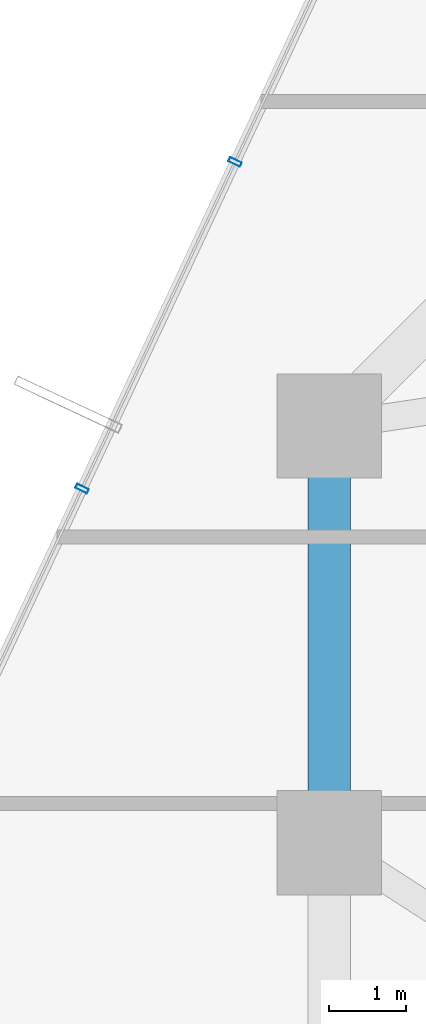
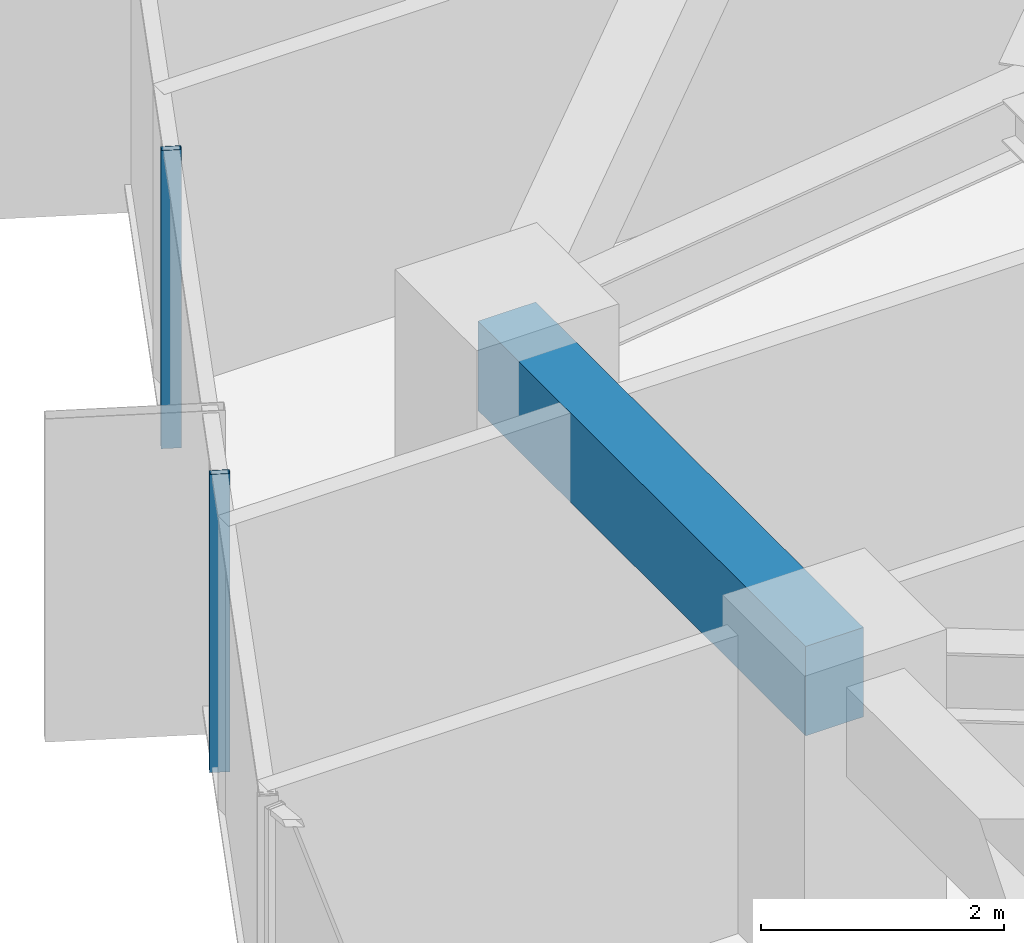
# One storey, part 12 of 37: 2 members, 1 beam, 1 element without a shape of its own.
"""IFC4 building model written with IfcOpenShell, lengths in metres."""

from ifc_helpers import new_model, si_unit, direction, frame, origin, origin_2d, place, context, subcontext, project, spatial, rectangle, hollow_rectangle, extrude, source, transform, mapped, material, layer, layer_set, material_profile, profile_set, type_object, element, aggregate, save


model = new_model("IFC4")

# Units and contexts
model_context = context("Model", 3, precision=1e-05, world=origin(), true_north=direction((0.0, 1.0)))
body_context = subcontext(model_context, "Body", "Model", "MODEL_VIEW")
ifc_project = project(units=[si_unit("LENGTHUNIT", "METRE"), si_unit("AREAUNIT", "SQUARE_METRE"), si_unit("VOLUMEUNIT", "CUBIC_METRE"), si_unit("PLANEANGLEUNIT", "RADIAN"), si_unit("MASSUNIT", "GRAM", prefix="KILO")], contexts=[model_context])

# Site, building, storey
site_placement = place(None, origin())
site = spatial("IfcSite", under=ifc_project, at=site_placement, CompositionType="ELEMENT")
building_placement = place(site_placement, origin())
building = spatial("IfcBuilding", under=site, at=building_placement, Name="Veraguas Prism Commons", CompositionType="ELEMENT")
storey_placement = place(building_placement, frame((0.0, 0.0, 40.300048828125)))
storey = spatial("IfcBuildingStorey", under=building, at=storey_placement, Name="L10", CompositionType="ELEMENT", Elevation=40.300048828125)

# Beam
ifc_material_1 = material(Name="Concrete C50/60", Category="concrete")
ifc_material_profile_1 = material_profile(ifc_material_1, rectangle(XDim=0.550048828125, YDim=0.89990234375, at=origin_2d()), Name="RC550X900")
ifc_profile_set_1 = profile_set([ifc_material_profile_1], Name="Concrete C50/60")
beam_type = type_object("IfcBeamType", Name="Perimeter Spandrel Lower RC 550x900", PredefinedType="SPANDREL", material=ifc_profile_set_1)
beam_placement = place(storey_placement, frame((6.39990234375, 29.39990234375, 2.550048828125), z_axis=(0.0, -1.0, 0.0), x_axis=(1.0, 0.0, 0.0)))
element("IfcBeam", 1, at=beam_placement, inside=storey, type_object=beam_type, Name="Perimeter Spandrel Beam L10-SP07", PredefinedType="SPANDREL", context=body_context, shape_type="SweptSolid", body=[
    extrude(rectangle(XDim=0.550048828125, YDim=0.89990234375, at=origin_2d()), origin(), (0.0, 0.0, 1.0), 5.39990234375),
])

# Curtain wall, members
ifc_material_2 = material(Name="Anodised aluminium EN AW-6063 T6", Category="aluminium")
ifc_layer = layer(ifc_material_2, 0.169921875, Name="Unitised Flush Curtain Wall Zone 1", Category="aluminium")
ifc_layer_set = layer_set([ifc_layer], Name="Anodised aluminium EN AW-6063 T6")
curtain_wall_type = type_object("IfcCurtainWallType", Name="Unitised Flush Curtain Wall Zone 1", PredefinedType="NOTDEFINED", material=ifc_layer_set)
curtain_wall_placement = place(storey_placement, origin())
curtain_wall = element("IfcCurtainWall", 2, at=curtain_wall_placement, inside=storey, type_object=curtain_wall_type, Name="Tower Facade Curtain Wall L10-F3", PredefinedType="NOTDEFINED")
ifc_material_profile_2 = material_profile(ifc_material_2, hollow_rectangle(XDim=0.06005859375, YDim=0.169921875, WallThickness=0.00390625, at=origin_2d()), Name="AL60X170X4")
ifc_profile_set_2 = profile_set([ifc_material_profile_2], Name="Anodised aluminium EN AW-6063 T6")
member_type = type_object("IfcMemberType", Name="Curtain Wall Mullion Lower AL 60x170x4", PredefinedType="MULLION", material=ifc_profile_set_2)
shared_shape = source(origin(), body_context, "Body", "SweptSolid", [
    extrude(hollow_rectangle(XDim=0.06005859375, YDim=0.169921875, WallThickness=0.00390625, at=origin_2d()), origin(), (0.0, 0.0, 1.0), 3.0),
])
member_1_placement = place(storey_placement, frame((5.177978515625, 32.81689453125, 0.0), z_axis=(0.0, 0.0, 1.0), x_axis=(-0.424194681192, -0.905571020102, 0.0)))
member_1 = element("IfcMember", 3, at=member_1_placement, type_object=member_type, Name="CW-Z1 Mullion 3", PredefinedType="MULLION", context=body_context, shape_type="MappedRepresentation", body=[
    mapped(shared_shape, transform((0.0, 0.0, 0.0), scale=1.0)),
])
member_2_placement = place(storey_placement, frame((3.19677734375, 28.5869140625, 0.0), z_axis=(0.0, 0.0, 1.0), x_axis=(-0.424194681192, -0.905571020102, 0.0)))
member_2 = element("IfcMember", 4, at=member_2_placement, type_object=member_type, Name="CW-Z1 Mullion 4", PredefinedType="MULLION", context=body_context, shape_type="MappedRepresentation", body=[
    mapped(shared_shape, transform((0.0, 0.0, 0.0), scale=1.0)),
])
aggregate(curtain_wall, [member_1, member_2])

save(model, "model.ifc")
